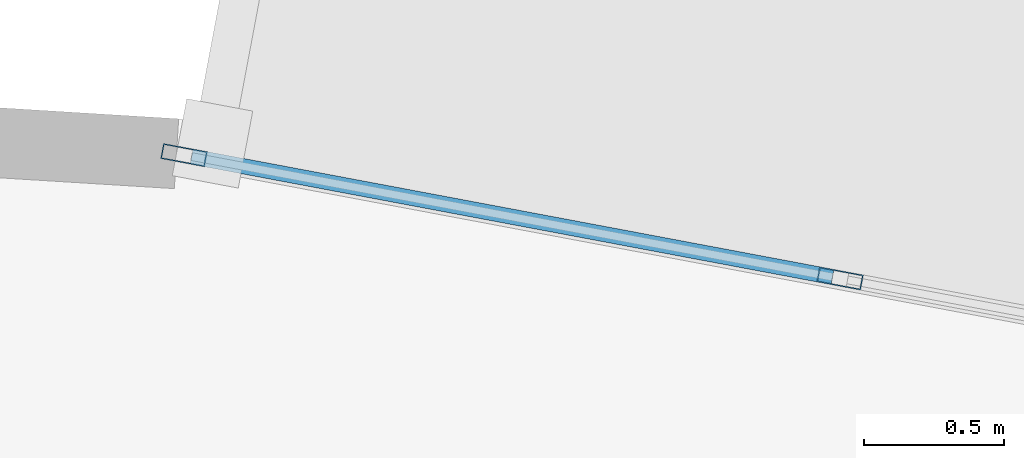
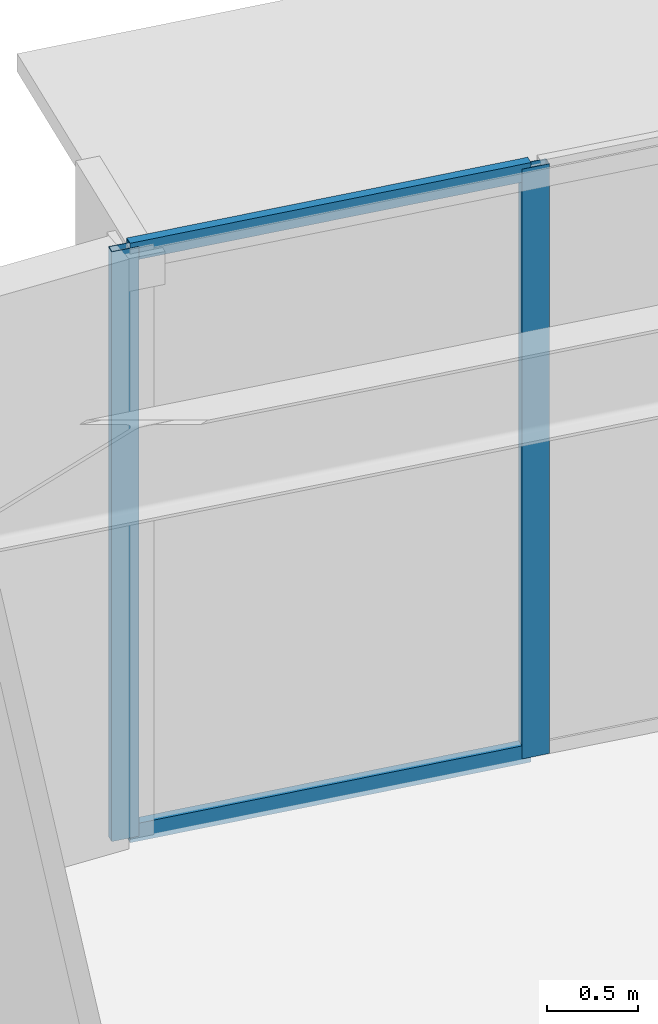
# One storey, part 14 of 28: 4 members, 1 element without a shape of its own.
"""IFC4 building model written with IfcOpenShell, lengths in metres."""

import ifcopenshell
import ifcopenshell.guid

model = None  # the IFC model being written
_history = None  # IfcOwnerHistory: only IFC2X3 demands one
_inside = {}  # id of a spatial element -> (the spatial element, [elements in it])
_under = {}  # id of a project, library or spatial element -> (it, [spatial elements below it])
_declared = {}  # id of a project -> (the project, [libraries it declares])
_typed = {}  # id of a type object -> (the type object, [elements of that type])
_made_of = {}  # id of a material, layer set ... -> (it, [elements and type objects made of it])


def new_model(schema):
    """Start an empty IFC model of exactly this schema.

    Asked for "IFC4X3", IfcOpenShell would pick the latest addendum, in which some entities
    have other attributes; the version numbers below select the first issue.
    IFC2X3 requires an IfcOwnerHistory on every rooted entity: one is made here for all.
    """
    global model, _history
    if schema == "IFC4X3":
        model = ifcopenshell.file(schema_version=(4, 3, 0, 0))
    else:
        model = ifcopenshell.file(schema=schema)
    _inside.clear()
    _under.clear()
    _declared.clear()
    _typed.clear()
    _made_of.clear()
    _history = None
    if model.schema == "IFC2X3":
        org = make("IfcOrganization", Name="unknown")
        user = make(
            "IfcPersonAndOrganization",
            ThePerson=make("IfcPerson", FamilyName="unknown"),
            TheOrganization=org,
        )
        app = make(
            "IfcApplication",
            ApplicationDeveloper=org,
            Version="unknown",
            ApplicationFullName="unknown",
            ApplicationIdentifier="unknown",
        )
        _history = make(
            "IfcOwnerHistory",
            OwningUser=user,
            OwningApplication=app,
            ChangeAction="ADDED",
            CreationDate=0,
        )
    return model


def make(cls, **values):
    """One entity of the class cls with the attributes given. An attribute that is None is left unset."""
    return model.create_entity(
        cls, **{name: value for name, value in values.items() if value is not None}
    )


def rooted(cls, **values):
    """An entity with a GlobalId (a new one), such as an element, a storey or a relation."""
    return make(cls, GlobalId=ifcopenshell.guid.new(), OwnerHistory=_history, **values)


def si_unit(unit_type, name, prefix=None):
    """IfcSIUnit, for example si_unit("LENGTHUNIT", "METRE", prefix="MILLI")."""
    return make("IfcSIUnit", UnitType=unit_type, Prefix=prefix, Name=name)


def assignment(units):
    """IfcUnitAssignment: the units of a project."""
    return None if units is None else make("IfcUnitAssignment", Units=units)


def point(xyz):
    """IfcCartesianPoint."""
    return None if xyz is None else make("IfcCartesianPoint", Coordinates=xyz)


def direction(xyz):
    """IfcDirection."""
    return None if xyz is None else make("IfcDirection", DirectionRatios=xyz)


def frame(location, z_axis=None, x_axis=None):
    """IfcAxis2Placement3D, a coordinate frame: its origin and axes. An axis left out is left unset."""
    return make(
        "IfcAxis2Placement3D",
        Location=point(location),
        Axis=direction(z_axis),
        RefDirection=direction(x_axis),
    )


def frame_2d(location, x_axis=None):
    """IfcAxis2Placement2D, a coordinate frame in the plane: its origin and x axis."""
    return make(
        "IfcAxis2Placement2D", Location=point(location), RefDirection=direction(x_axis)
    )


def origin():
    """The frame at (0, 0, 0) with its axes left unset."""
    return frame((0.0, 0.0, 0.0))


def origin_2d():
    """The frame at (0, 0) in the plane with its x axis left unset."""
    return frame_2d((0.0, 0.0))


def place(relative_to, where):
    """IfcLocalPlacement: puts the frame where relative to a parent placement (None: the world)."""
    return make(
        "IfcLocalPlacement", PlacementRelTo=relative_to, RelativePlacement=where
    )


def context(
    kind, dimensions, precision=None, world=None, true_north=None, identifier=None
):
    """IfcGeometricRepresentationContext, for example the 3D "Model" context."""
    return make(
        "IfcGeometricRepresentationContext",
        ContextIdentifier=identifier,
        ContextType=kind,
        CoordinateSpaceDimension=dimensions,
        Precision=precision,
        WorldCoordinateSystem=world,
        TrueNorth=true_north,
    )


def subcontext(parent, identifier, kind, view, scale=None):
    """IfcGeometricRepresentationSubContext, for example "Body" below "Model"."""
    return make(
        "IfcGeometricRepresentationSubContext",
        ContextIdentifier=identifier,
        ContextType=kind,
        ParentContext=parent,
        TargetScale=scale,
        TargetView=view,
    )


def project(units=None, contexts=None):
    """IfcProject with its units and contexts."""
    return rooted(
        "IfcProject",
        Name="project",
        RepresentationContexts=contexts,
        UnitsInContext=assignment(units),
    )


def spatial(cls, under=None, at=None, **own):
    """A site, building, storey or space (cls), placed at a placement, below another one or the project."""
    s = rooted(cls, ObjectPlacement=at, **own)
    if under is not None:
        _under.setdefault(under.id(), (under, []))[1].append(s)
    return s


def profile(cls, at=None, kind="AREA", **sizes):
    """A parametric profile (cls). Its sizes go by their IFC names, for example OverallWidth=200.0."""
    return make(cls, ProfileType=kind, Position=at, **sizes)


def hollow_rectangle(**sizes):
    """IfcRectangleHollowProfileDef."""
    return profile("IfcRectangleHollowProfileDef", **sizes)


def extrude(swept, where, along, depth):
    """IfcExtrudedAreaSolid: the profile swept, set in the frame where, extruded along a direction by depth."""
    return make(
        "IfcExtrudedAreaSolid",
        SweptArea=swept,
        Position=where,
        ExtrudedDirection=direction(along),
        Depth=depth,
    )


def shape(context_of_items, identifier, shape_type, items):
    """IfcShapeRepresentation: the items that make up one representation, for example the "Body"."""
    return make(
        "IfcShapeRepresentation",
        ContextOfItems=context_of_items,
        RepresentationIdentifier=identifier,
        RepresentationType=shape_type,
        Items=items,
    )


def source(mapping_origin, context_of_items, identifier, shape_type, items):
    """IfcRepresentationMap: a shape defined once, which mapped items show again and again."""
    return make(
        "IfcRepresentationMap",
        MappingOrigin=mapping_origin,
        MappedRepresentation=shape(context_of_items, identifier, shape_type, items),
    )


def transform(
    local_origin,
    x_axis=None,
    y_axis=None,
    z_axis=None,
    scale=None,
    scale2=None,
    scale3=None,
    uniform=True,
):
    """IfcCartesianTransformationOperator3D, or its non-uniform kind. x_axis, y_axis, z_axis: its Axis1, 2, 3."""
    if uniform:
        return make(
            "IfcCartesianTransformationOperator3D",
            Axis1=direction(x_axis),
            Axis2=direction(y_axis),
            LocalOrigin=point(local_origin),
            Scale=scale,
            Axis3=direction(z_axis),
        )
    return make(
        "IfcCartesianTransformationOperator3DnonUniform",
        Axis1=direction(x_axis),
        Axis2=direction(y_axis),
        LocalOrigin=point(local_origin),
        Scale=scale,
        Axis3=direction(z_axis),
        Scale2=scale2,
        Scale3=scale3,
    )


def mapped(mapping_source, mapping_target):
    """IfcMappedItem: shows the shape of a source again, moved by a transform."""
    return make(
        "IfcMappedItem", MappingSource=mapping_source, MappingTarget=mapping_target
    )


def material(Name=None, Category=None):
    """IfcMaterial."""
    return make("IfcMaterial", Name=Name, Category=Category)


def layer(
    of_material, thickness, ventilated=None, Name=None, Category=None, Priority=None
):
    """IfcMaterialLayer: one layer of a wall or slab, of a material (None: an air gap)."""
    return make(
        "IfcMaterialLayer",
        Material=of_material,
        LayerThickness=thickness,
        IsVentilated=ventilated,
        Name=Name,
        Category=Category,
        Priority=Priority,
    )


def layer_set(layers, Name=None):
    """IfcMaterialLayerSet."""
    return make("IfcMaterialLayerSet", MaterialLayers=layers, LayerSetName=Name)


def material_profile(
    of_material, cross_section, Name=None, Category=None, Priority=None
):
    """IfcMaterialProfile: a cross section and its material."""
    return make(
        "IfcMaterialProfile",
        Name=Name,
        Material=of_material,
        Profile=cross_section,
        Priority=Priority,
        Category=Category,
    )


def profile_set(profiles, Name=None, composite=None):
    """IfcMaterialProfileSet."""
    return make(
        "IfcMaterialProfileSet",
        Name=Name,
        MaterialProfiles=profiles,
        CompositeProfile=composite,
    )


def made_of(thing, what):
    """Note that an element or type object is made of a material, layer set ...; save() writes the relation."""
    if what is not None:
        _made_of.setdefault(what.id(), (what, []))[1].append(thing)
    return thing


def type_object(cls, material=None, **own):
    """A type object (cls), such as IfcWallType, which elements share."""
    return made_of(rooted(cls, **own), material)


def element(
    cls,
    number,
    at=None,
    inside=None,
    cuts=None,
    type_object=None,
    material=None,
    context=None,
    identifier="Body",
    shape_type=None,
    held_by="IfcProductDefinitionShape",
    body=None,
    shapes=None,
    **own,
):
    """One element of the class cls, such as IfcWall. Its Tag is "e" and its number.

    at: its placement. inside: the storey or other place that contains it. cuts: it is an
    opening in that element (IfcRelVoidsElement). A single representation is given by context,
    identifier, shape_type and body (its items); several are given by shapes. held_by: the class
    of the entity that holds the representations. save() writes the other relations.
    """
    e = rooted(cls, Tag="e%d" % number, ObjectPlacement=at, **own)
    if body is not None:
        shapes = [shape(context, identifier, shape_type, body)]
    if shapes is not None:
        e.Representation = make(held_by, Representations=shapes)
    if inside is not None:
        _inside.setdefault(inside.id(), (inside, []))[1].append(e)
    if cuts is not None:
        rooted(
            "IfcRelVoidsElement", RelatingBuildingElement=cuts, RelatedOpeningElement=e
        )
    if type_object is not None:
        _typed.setdefault(type_object.id(), (type_object, []))[1].append(e)
    return made_of(e, material)


def aggregate(whole, parts):
    """IfcRelAggregates: a whole, such as a stair, and the parts it consists of."""
    return rooted("IfcRelAggregates", RelatingObject=whole, RelatedObjects=parts)


def save(model, path):
    """Write the relations noted so far, then the file.

    IfcRelAggregates (storeys below a building ...), IfcRelContainedInSpatialStructure (elements
    in a storey), IfcRelDefinesByType, IfcRelAssociatesMaterial and IfcRelDeclares: one each for
    every whole, place, type object, material and project.
    """
    for whole, parts in _under.values():
        aggregate(whole, parts)
    for where, things in _inside.values():
        rooted(
            "IfcRelContainedInSpatialStructure",
            RelatedElements=things,
            RelatingStructure=where,
        )
    for kind, things in _typed.values():
        rooted("IfcRelDefinesByType", RelatedObjects=things, RelatingType=kind)
    for what, things in _made_of.values():
        rooted("IfcRelAssociatesMaterial", RelatedObjects=things, RelatingMaterial=what)
    for by, libraries in _declared.values():
        rooted("IfcRelDeclares", RelatingContext=by, RelatedDefinitions=libraries)
    model.write(path)


model = new_model("IFC4")

# Units and contexts
model_context = context("Model", 3, precision=1e-05, world=origin(), true_north=direction((0.0, 1.0)))
body_context = subcontext(model_context, "Body", "Model", "MODEL_VIEW")
ifc_project = project(units=[si_unit("LENGTHUNIT", "METRE"), si_unit("AREAUNIT", "SQUARE_METRE"), si_unit("VOLUMEUNIT", "CUBIC_METRE"), si_unit("PLANEANGLEUNIT", "RADIAN"), si_unit("MASSUNIT", "GRAM", prefix="KILO")], contexts=[model_context])

# Site, building, storey
site_placement = place(None, origin())
site = spatial("IfcSite", under=ifc_project, at=site_placement, CompositionType="ELEMENT")
building_placement = place(site_placement, origin())
building = spatial("IfcBuilding", under=site, at=building_placement, Name="Linh Dai School and Residence Tower", CompositionType="ELEMENT")
storey_placement = place(building_placement, frame((0.0, 0.0, 57.60009765625)))
storey = spatial("IfcBuildingStorey", under=building, at=storey_placement, Name="L13", CompositionType="ELEMENT", Elevation=57.60009765625)

# Curtain wall, members
ifc_material_1 = material(Name="Aluminium Anodised Curtain Wall", Category="aluminium")
ifc_layer = layer(ifc_material_1, 0.159912109375)
ifc_layer_set = layer_set([ifc_layer], Name="Aluminium Anodised Curtain Wall")
curtain_wall_type = type_object("IfcCurtainWallType", Name="CW-SYS-3", PredefinedType="USERDEFINED", material=ifc_layer_set)
curtain_wall_placement = place(storey_placement, origin())
curtain_wall = element("IfcCurtainWall", 1, at=curtain_wall_placement, inside=storey, type_object=curtain_wall_type, Name="L13 CW3 Curtain Wall 09", ObjectType="RIBBON CURTAIN WALL", PredefinedType="USERDEFINED")
ifc_material_2 = material(Name="Aluminium Alloy 6063-T6", Category="aluminium")
ifc_material_profile_1 = material_profile(ifc_material_2, hollow_rectangle(XDim=0.054931640625, YDim=0.1201171875, WallThickness=0.00390625, at=origin_2d()), Name="RHS 120x55x4")
ifc_profile_set_1 = profile_set([ifc_material_profile_1], Name="Aluminium Alloy 6063-T6")
member_type_1 = type_object("IfcMemberType", Name="CW-SYS-3-TRN", PredefinedType="USERDEFINED", material=ifc_profile_set_1)
shared_shape_1 = source(origin(), body_context, "Body", "SweptSolid", [
    extrude(hollow_rectangle(XDim=0.054931640625, YDim=0.1201171875, WallThickness=0.00390625, at=origin_2d()), origin(), (0.0, 0.0, 1.0), 2.331787109375),
])
member_1_placement = place(storey_placement, frame((40.91943359375, 50.9951171875, 0.02734375), z_axis=(0.98277485102, -0.184806905183, 0.0), x_axis=(0.184806905183, 0.98277485102, 0.0)))
member_1 = element("IfcMember", 2, at=member_1_placement, type_object=member_type_1, Name="CW3 transom 1.1", ObjectType="TRANSOM", PredefinedType="USERDEFINED", context=body_context, shape_type="MappedRepresentation", body=[
    mapped(shared_shape_1, transform((0.0, 0.0, 0.0), x_axis=(1.0, 0.0, 0.0), y_axis=(0.0, 1.0, 0.0), z_axis=(0.0, 0.0, 1.0), scale=1.0)),
])
member_2_placement = place(storey_placement, frame((40.91943359375, 50.9951171875, 3.92236328125), z_axis=(0.98277485102, -0.184806905183, 0.0), x_axis=(0.184806905183, 0.98277485102, 0.0)))
member_2 = element("IfcMember", 3, at=member_2_placement, type_object=member_type_1, Name="CW3 transom 1.2", ObjectType="TRANSOM", PredefinedType="USERDEFINED", context=body_context, shape_type="MappedRepresentation", body=[
    mapped(shared_shape_1, transform((0.0, 0.0, 0.0), x_axis=(1.0, 0.0, 0.0), y_axis=(0.0, 1.0, 0.0), z_axis=(0.0, 0.0, 1.0), scale=1.0)),
])
ifc_material_profile_2 = material_profile(ifc_material_2, hollow_rectangle(XDim=0.054931640625, YDim=0.159912109375, WallThickness=0.00390625, at=origin_2d()), Name="RHS 160x55x4")
ifc_profile_set_2 = profile_set([ifc_material_profile_2], Name="Aluminium Alloy 6063-T6")
member_type_2 = type_object("IfcMemberType", Name="CW-SYS-3-MUL", PredefinedType="MULLION", material=ifc_profile_set_2)
shared_shape_2 = source(origin(), body_context, "Body", "SweptSolid", [
    extrude(hollow_rectangle(XDim=0.054931640625, YDim=0.159912109375, WallThickness=0.00390625, at=origin_2d()), origin(), (0.0, 0.0, 1.0), 3.949951171875),
])
member_3_placement = place(storey_placement, frame((40.892333984375, 51.0, 0.0), z_axis=(0.0, 0.0, 1.0), x_axis=(0.184747948944, 0.982785935675, 0.0)))
member_3 = element("IfcMember", 4, at=member_3_placement, type_object=member_type_2, Name="CW3 mullion 1", PredefinedType="MULLION", context=body_context, shape_type="MappedRepresentation", body=[
    mapped(shared_shape_2, transform((0.0, 0.0, 0.0), x_axis=(1.0, 0.0, 0.0), y_axis=(0.0, 1.0, 0.0), z_axis=(0.0, 0.0, 1.0), scale=1.0)),
])
member_4_placement = place(storey_placement, frame((43.238037109375, 50.55908203125, 0.0), z_axis=(0.0, 0.0, 1.0), x_axis=(0.184747948944, 0.982785935675, 0.0)))
member_4 = element("IfcMember", 5, at=member_4_placement, type_object=member_type_2, Name="CW3 mullion 2", PredefinedType="MULLION", context=body_context, shape_type="MappedRepresentation", body=[
    mapped(shared_shape_2, transform((0.0, 0.0, 0.0), x_axis=(1.0, 0.0, 0.0), y_axis=(0.0, 1.0, 0.0), z_axis=(0.0, 0.0, 1.0), scale=1.0)),
])
aggregate(curtain_wall, [member_3, member_4, member_1, member_2])

save(model, "model.ifc")
